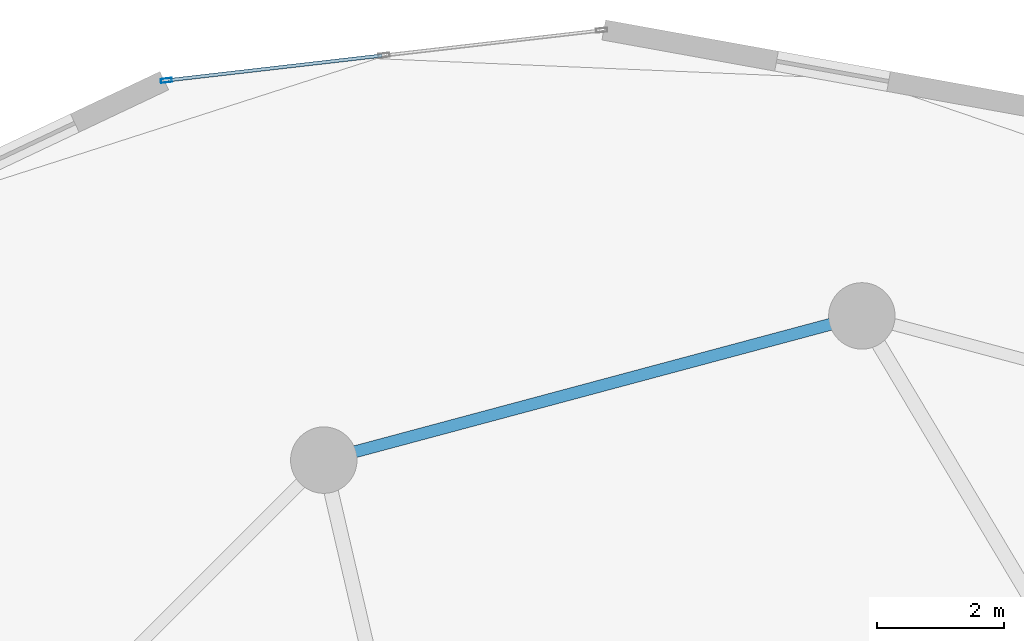
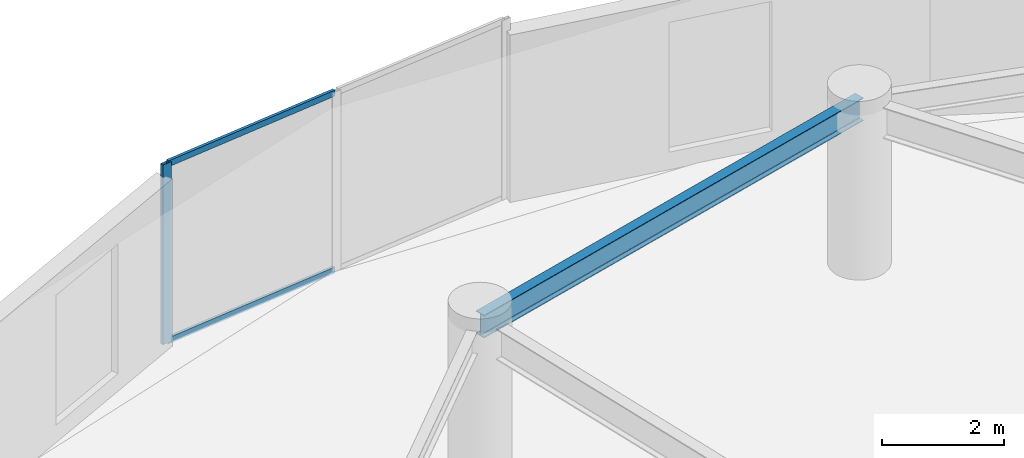
# One storey, part 16 of 26: 3 members, 1 beam, 1 element without a shape of its own.
"""IFC4 building model written with IfcOpenShell, lengths in metres."""

from ifc_helpers import new_model, si_unit, direction, frame, origin, origin_2d, place, context, subcontext, project, spatial, hollow_rectangle, i_section, extrude, source, transform, mapped, material, layer, layer_set, material_profile, profile_set, type_object, element, aggregate, save


model = new_model("IFC4")

# Units and contexts
model_context = context("Model", 3, precision=1e-05, world=origin(), true_north=direction((0.0, 1.0)))
body_context = subcontext(model_context, "Body", "Model", "MODEL_VIEW")
ifc_project = project(units=[si_unit("LENGTHUNIT", "METRE"), si_unit("AREAUNIT", "SQUARE_METRE"), si_unit("VOLUMEUNIT", "CUBIC_METRE"), si_unit("PLANEANGLEUNIT", "RADIAN"), si_unit("MASSUNIT", "GRAM", prefix="KILO")], contexts=[model_context])

# Site, building, storey
site_placement = place(None, origin())
site = spatial("IfcSite", under=ifc_project, at=site_placement, CompositionType="ELEMENT")
building_placement = place(site_placement, origin())
building = spatial("IfcBuilding", under=site, at=building_placement, Name="Solvirekh Grand Hotel", CompositionType="ELEMENT")
storey_placement = place(building_placement, frame((0.0, 0.0, 113.39990234375)))
storey = spatial("IfcBuildingStorey", under=building, at=storey_placement, Name="L28", CompositionType="ELEMENT", Elevation=113.39990234375)

# Beam
ifc_material_1 = material(Name="Steel S355", Category="steel")
ifc_material_profile_1 = material_profile(ifc_material_1, i_section(OverallWidth=0.18994140625, OverallDepth=0.45703125, WebThickness=0.009033203125, FlangeThickness=0.013916015625, FilletRadius=0.012939453125, at=origin_2d()), Name="W460X74")
ifc_profile_set_1 = profile_set([ifc_material_profile_1], Name="Steel S355")
beam_type = type_object("IfcBeamType", Name="Spandrel_Ring_W460", PredefinedType="SPANDREL", material=ifc_profile_set_1)
beam_placement = place(storey_placement, frame((0.0, 17.0, 3.1220703125), z_axis=(-0.965911391906, -0.258872908946, 0.0), x_axis=(0.258872908946, -0.965911391906, 0.0)))
element("IfcBeam", 1, at=beam_placement, inside=storey, type_object=beam_type, Name="L28 perimeter spandrel beam 4", PredefinedType="SPANDREL", context=body_context, shape_type="SweptSolid", body=[
    extrude(i_section(OverallWidth=0.18994140625, OverallDepth=0.45703125, WebThickness=0.009033203125, FlangeThickness=0.013916015625, FilletRadius=0.012939453125, at=origin_2d()), origin(), (0.0, 0.0, 1.0), 8.800048828125),
])

# Curtain wall, members
ifc_material_2 = material(Name="Anodized Bronze Aluminium 6063-T6", Category="aluminium")
ifc_layer = layer(ifc_material_2, 0.175048828125)
ifc_layer_set = layer_set([ifc_layer], Name="Anodized Bronze Aluminium 6063-T6")
curtain_wall_type = type_object("IfcCurtainWallType", Name="CW_Sys3_MidZoneFlushBronzeCW", PredefinedType="NOTDEFINED", material=ifc_layer_set)
curtain_wall_placement = place(storey_placement, origin())
curtain_wall = element("IfcCurtainWall", 2, at=curtain_wall_placement, inside=storey, type_object=curtain_wall_type, Name="L28 unitised bronze-glass curtain wall CW-L28-C08", PredefinedType="NOTDEFINED")
ifc_material_profile_2 = material_profile(ifc_material_2, hollow_rectangle(XDim=0.06494140625, YDim=0.175048828125, WallThickness=0.0048828125, at=origin_2d()), Name="ALU RHS 175X65X5")
ifc_profile_set_2 = profile_set([ifc_material_profile_2], Name="Anodized Bronze Aluminium 6063-T6")
member_type_1 = type_object("IfcMemberType", Name="CWMullion_Sys3", PredefinedType="MULLION", material=ifc_profile_set_2)
shared_shape_1 = source(origin(), body_context, "Body", "SweptSolid", [
    extrude(hollow_rectangle(XDim=0.06494140625, YDim=0.175048828125, WallThickness=0.0048828125, at=origin_2d()), origin(), (0.0, 0.0, 1.0), 3.60009765625),
])
member_1_placement = place(storey_placement, frame((-10.98779296875, 20.7197265625, 0.0), z_axis=(0.0, 0.0, 1.0), x_axis=(0.114607815536, -0.993410815634, 0.0)))
member_1 = element("IfcMember", 3, at=member_1_placement, type_object=member_type_1, Name="U03 mullion 3", PredefinedType="MULLION", context=body_context, shape_type="MappedRepresentation", body=[
    mapped(shared_shape_1, transform((0.0, 0.0, 0.0), x_axis=(1.0, 0.0, 0.0), y_axis=(0.0, 1.0, 0.0), z_axis=(0.0, 0.0, 1.0), scale=1.0)),
])
ifc_material_profile_3 = material_profile(ifc_material_2, hollow_rectangle(XDim=0.054931640625, YDim=0.1201171875, WallThickness=0.00390625, at=origin_2d()), Name="ALU RHS 120X55X4")
ifc_profile_set_3 = profile_set([ifc_material_profile_3], Name="Anodized Bronze Aluminium 6063-T6")
member_type_2 = type_object("IfcMemberType", Name="CWTransom_Sys3", PredefinedType="USERDEFINED", material=ifc_profile_set_3)
shared_shape_2 = source(origin(), body_context, "Body", "SweptSolid", [
    extrude(hollow_rectangle(XDim=0.054931640625, YDim=0.1201171875, WallThickness=0.00390625, at=origin_2d()), origin(), (0.0, 0.0, 1.0), 3.39697265625),
])
member_2_placement = place(storey_placement, frame((-7.580810546875, 21.11279296875, 0.027587890625), z_axis=(-0.993407676749, -0.114635019853, 0.0), x_axis=(0.114635019853, -0.993407676749, 0.0)))
member_2 = element("IfcMember", 4, at=member_2_placement, type_object=member_type_2, Name="U03 transom 2.1", ObjectType="TRANSOM", PredefinedType="USERDEFINED", context=body_context, shape_type="MappedRepresentation", body=[
    mapped(shared_shape_2, transform((0.0, 0.0, 0.0), x_axis=(1.0, 0.0, 0.0), y_axis=(0.0, 1.0, 0.0), z_axis=(0.0, 0.0, 1.0), scale=1.0)),
])
member_3_placement = place(storey_placement, frame((-7.580810546875, 21.11279296875, 3.572509765625), z_axis=(-0.993407676749, -0.114635019853, 0.0), x_axis=(0.114635019853, -0.993407676749, 0.0)))
member_3 = element("IfcMember", 5, at=member_3_placement, type_object=member_type_2, Name="U03 transom 2.2", ObjectType="TRANSOM", PredefinedType="USERDEFINED", context=body_context, shape_type="MappedRepresentation", body=[
    mapped(shared_shape_2, transform((0.0, 0.0, 0.0), x_axis=(1.0, 0.0, 0.0), y_axis=(0.0, 1.0, 0.0), z_axis=(0.0, 0.0, 1.0), scale=1.0)),
])
aggregate(curtain_wall, [member_1, member_2, member_3])

save(model, "model.ifc")
